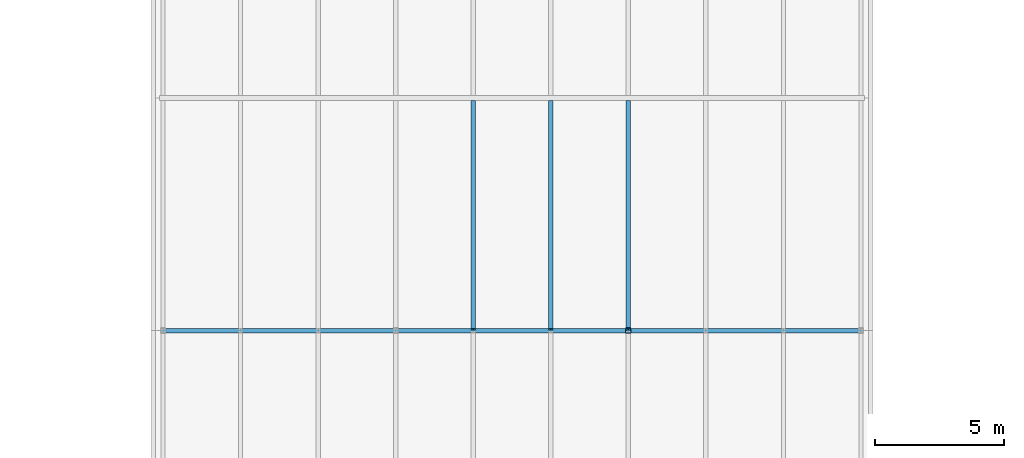
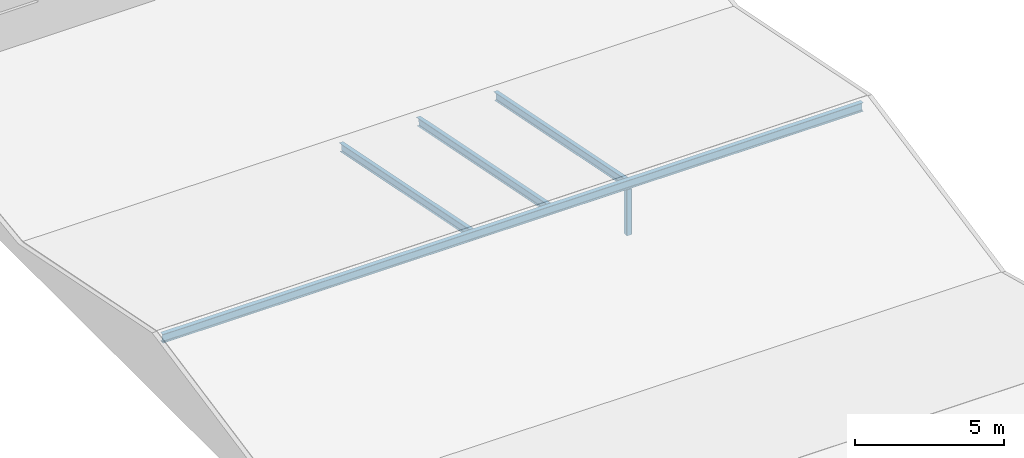
# One storey, part 15 of 29: 4 members, 1 beam.
"""IFC4 building model written with IfcOpenShell, lengths in metres."""

from ifc_helpers import new_model, si_unit, direction, frame, origin, origin_2d, place, context, subcontext, project, spatial, hollow_rectangle, i_section, extrude, material, material_profile, profile_set, type_object, element, save


model = new_model("IFC4")

# Units and contexts
model_context = context("Model", 3, precision=1e-05, world=origin(), true_north=direction((0.0, 1.0)))
body_context = subcontext(model_context, "Body", "Model", "MODEL_VIEW")
ifc_project = project(units=[si_unit("LENGTHUNIT", "METRE"), si_unit("AREAUNIT", "SQUARE_METRE"), si_unit("VOLUMEUNIT", "CUBIC_METRE"), si_unit("PLANEANGLEUNIT", "RADIAN"), si_unit("MASSUNIT", "GRAM", prefix="KILO")], contexts=[model_context])

# Site, building, storey
site_placement = place(None, origin())
site = spatial("IfcSite", under=ifc_project, at=site_placement, CompositionType="ELEMENT")
building_placement = place(site_placement, origin())
building = spatial("IfcBuilding", under=site, at=building_placement, Name="Azimuth Sports and Learning Centre", CompositionType="ELEMENT")
storey_placement = place(building_placement, frame((0.0, 0.0, 27.0)))
storey = spatial("IfcBuildingStorey", under=building, at=storey_placement, Name="L05", CompositionType="ELEMENT", Elevation=27.0)

# Beam
ifc_material_1 = material(Name="Steel S355", Category="steel")
ifc_material_profile_1 = material_profile(ifc_material_1, i_section(OverallWidth=0.169921875, OverallDepth=0.360107421875, WebThickness=0.008056640625, FlangeThickness=0.0126953125, FilletRadius=0.01806640625, at=origin_2d()), Name="IPE 360")
ifc_profile_set_1 = profile_set([ifc_material_profile_1], Name="Steel S355")
beam_type = type_object("IfcBeamType", Name="Beam IPE 360", PredefinedType="BEAM", material=ifc_profile_set_1)
beam_placement = place(storey_placement, frame((71.89990234375, 72.0, 2.06689453125), z_axis=(1.0, 0.0, 0.0), x_axis=(0.0, 1.0, 0.0)))
element("IfcBeam", 1, at=beam_placement, inside=storey, type_object=beam_type, Name="Beam L05 RF 9", PredefinedType="BEAM", context=body_context, shape_type="SweptSolid", body=[
    extrude(i_section(OverallWidth=0.169921875, OverallDepth=0.360107421875, WebThickness=0.008056640625, FlangeThickness=0.0126953125, FilletRadius=0.01806640625, at=origin_2d()), origin(), (0.0, 0.0, 1.0), 27.2001953125),
])

# Members
ifc_material_2 = material(Name="Steel S355", Category="steel")
ifc_material_profile_2 = material_profile(ifc_material_2, i_section(OverallWidth=0.159912109375, OverallDepth=0.330078125, WebThickness=0.007568359375, FlangeThickness=0.011474609375, FilletRadius=0.01806640625, at=origin_2d()), Name="IPE 330")
ifc_profile_set_2 = profile_set([ifc_material_profile_2], Name="Steel S355")
member_type_1 = type_object("IfcMemberType", Name="Rafter IPE 330", PredefinedType="RAFTER", material=ifc_profile_set_2)
for number, where, z_axis, x_axis, name in (
    (2, (84.0, 72.052734375, 2.068115234375), (0.0, 0.980581719653, -0.196110915255), (-1.0, 0.0, 0.0), "Rafter FOLD09 85"),
    (3, (87.0, 72.052734375, 2.068115234375), (0.0, 0.980581719653, -0.196110915255), (-1.0, 0.0, 0.0), "Rafter FOLD09 86"),
    (4, (90.0, 72.052734375, 2.068115234375), (0.0, 0.980581719653, -0.196110915255), (-1.0, 0.0, 0.0), "Rafter FOLD09 87"),
):
    element("IfcMember", number, at=place(storey_placement, frame(where, z_axis=z_axis, x_axis=x_axis)), inside=storey, type_object=member_type_1, Name=name, PredefinedType="RAFTER", context=body_context, shape_type="SweptSolid", body=[
        extrude(i_section(OverallWidth=0.159912109375, OverallDepth=0.330078125, WebThickness=0.007568359375, FlangeThickness=0.011474609375, FilletRadius=0.01806640625, at=origin_2d()), origin(), (0.0, 0.0, 1.0), 8.994384765625),
    ])
ifc_material_3 = material(Name="Steel S355", Category="steel")
ifc_material_profile_3 = material_profile(ifc_material_3, hollow_rectangle(XDim=0.199951171875, YDim=0.199951171875, WallThickness=0.010009765625, InnerFilletRadius=0.010009765625, OuterFilletRadius=0.014892578125, at=origin_2d()), Name="SHS 200x200x10.0")
ifc_profile_set_3 = profile_set([ifc_material_profile_3], Name="Steel S355")
member_type_2 = type_object("IfcMemberType", Name="Truss post SHS 200x200x10.0", PredefinedType="POST", material=ifc_profile_set_3)
member_placement = place(storey_placement, frame((90.0, 72.0, 0.0), z_axis=(0.0, 0.0, 1.0), x_axis=(1.0, 0.0, 0.0)))
element("IfcMember", 5, at=member_placement, inside=storey, type_object=member_type_2, Name="Ridge post 11J", PredefinedType="POST", context=body_context, shape_type="SweptSolid", body=[
    extrude(hollow_rectangle(XDim=0.199951171875, YDim=0.199951171875, WallThickness=0.010009765625, InnerFilletRadius=0.010009765625, OuterFilletRadius=0.014892578125, at=origin_2d()), origin(), (0.0, 0.0, 1.0), 1.886962890625),
])

save(model, "model.ifc")
